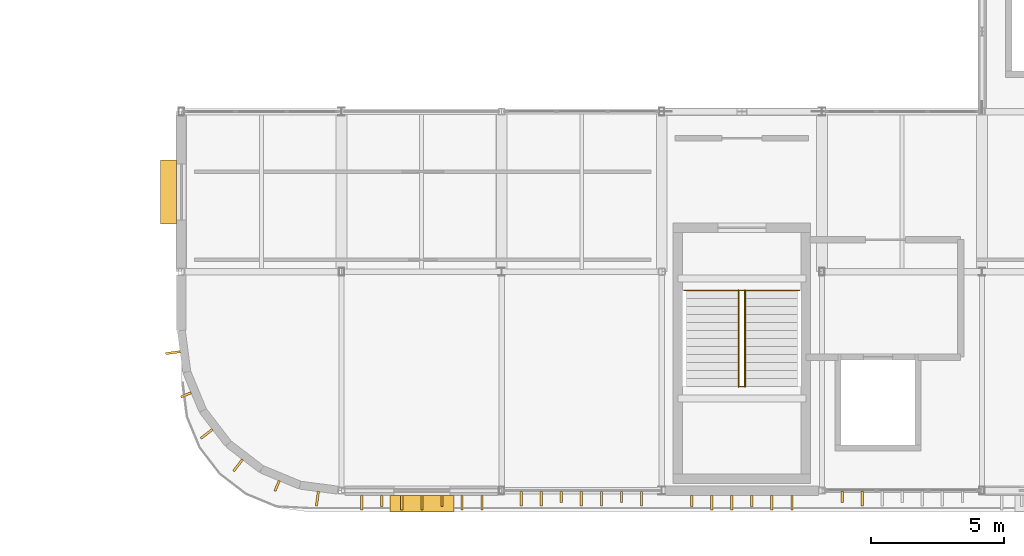
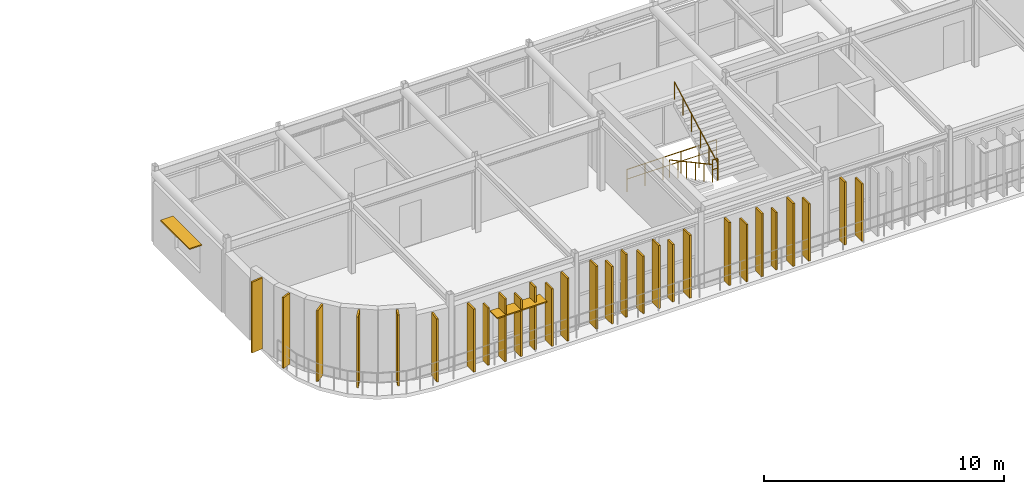
# One storey, part 23 of 27: 28 coverings, 4 railings, 2 shading devices.
"""IFC4 building model written with IfcOpenShell, lengths in metres."""

import ifcopenshell
import ifcopenshell.guid

model = None  # the IFC model being written
_history = None  # IfcOwnerHistory: only IFC2X3 demands one
_inside = {}  # id of a spatial element -> (the spatial element, [elements in it])
_under = {}  # id of a project, library or spatial element -> (it, [spatial elements below it])
_declared = {}  # id of a project -> (the project, [libraries it declares])
_typed = {}  # id of a type object -> (the type object, [elements of that type])
_made_of = {}  # id of a material, layer set ... -> (it, [elements and type objects made of it])


def new_model(schema):
    """Start an empty IFC model of exactly this schema.

    Asked for "IFC4X3", IfcOpenShell would pick the latest addendum, in which some entities
    have other attributes; the version numbers below select the first issue.
    IFC2X3 requires an IfcOwnerHistory on every rooted entity: one is made here for all.
    """
    global model, _history
    if schema == "IFC4X3":
        model = ifcopenshell.file(schema_version=(4, 3, 0, 0))
    else:
        model = ifcopenshell.file(schema=schema)
    _inside.clear()
    _under.clear()
    _declared.clear()
    _typed.clear()
    _made_of.clear()
    _history = None
    if model.schema == "IFC2X3":
        org = make("IfcOrganization", Name="unknown")
        user = make(
            "IfcPersonAndOrganization",
            ThePerson=make("IfcPerson", FamilyName="unknown"),
            TheOrganization=org,
        )
        app = make(
            "IfcApplication",
            ApplicationDeveloper=org,
            Version="unknown",
            ApplicationFullName="unknown",
            ApplicationIdentifier="unknown",
        )
        _history = make(
            "IfcOwnerHistory",
            OwningUser=user,
            OwningApplication=app,
            ChangeAction="ADDED",
            CreationDate=0,
        )
    return model


def make(cls, **values):
    """One entity of the class cls with the attributes given. An attribute that is None is left unset."""
    return model.create_entity(
        cls, **{name: value for name, value in values.items() if value is not None}
    )


def rooted(cls, **values):
    """An entity with a GlobalId (a new one), such as an element, a storey or a relation."""
    return make(cls, GlobalId=ifcopenshell.guid.new(), OwnerHistory=_history, **values)


def si_unit(unit_type, name, prefix=None):
    """IfcSIUnit, for example si_unit("LENGTHUNIT", "METRE", prefix="MILLI")."""
    return make("IfcSIUnit", UnitType=unit_type, Prefix=prefix, Name=name)


def assignment(units):
    """IfcUnitAssignment: the units of a project."""
    return None if units is None else make("IfcUnitAssignment", Units=units)


def point(xyz):
    """IfcCartesianPoint."""
    return None if xyz is None else make("IfcCartesianPoint", Coordinates=xyz)


def direction(xyz):
    """IfcDirection."""
    return None if xyz is None else make("IfcDirection", DirectionRatios=xyz)


def frame(location, z_axis=None, x_axis=None):
    """IfcAxis2Placement3D, a coordinate frame: its origin and axes. An axis left out is left unset."""
    return make(
        "IfcAxis2Placement3D",
        Location=point(location),
        Axis=direction(z_axis),
        RefDirection=direction(x_axis),
    )


def frame_2d(location, x_axis=None):
    """IfcAxis2Placement2D, a coordinate frame in the plane: its origin and x axis."""
    return make(
        "IfcAxis2Placement2D", Location=point(location), RefDirection=direction(x_axis)
    )


def origin():
    """The frame at (0, 0, 0) with its axes left unset."""
    return frame((0.0, 0.0, 0.0))


def origin_2d():
    """The frame at (0, 0) in the plane with its x axis left unset."""
    return frame_2d((0.0, 0.0))


def place(relative_to, where):
    """IfcLocalPlacement: puts the frame where relative to a parent placement (None: the world)."""
    return make(
        "IfcLocalPlacement", PlacementRelTo=relative_to, RelativePlacement=where
    )


def context(
    kind, dimensions, precision=None, world=None, true_north=None, identifier=None
):
    """IfcGeometricRepresentationContext, for example the 3D "Model" context."""
    return make(
        "IfcGeometricRepresentationContext",
        ContextIdentifier=identifier,
        ContextType=kind,
        CoordinateSpaceDimension=dimensions,
        Precision=precision,
        WorldCoordinateSystem=world,
        TrueNorth=true_north,
    )


def subcontext(parent, identifier, kind, view, scale=None):
    """IfcGeometricRepresentationSubContext, for example "Body" below "Model"."""
    return make(
        "IfcGeometricRepresentationSubContext",
        ContextIdentifier=identifier,
        ContextType=kind,
        ParentContext=parent,
        TargetScale=scale,
        TargetView=view,
    )


def project(units=None, contexts=None):
    """IfcProject with its units and contexts."""
    return rooted(
        "IfcProject",
        Name="project",
        RepresentationContexts=contexts,
        UnitsInContext=assignment(units),
    )


def spatial(cls, under=None, at=None, **own):
    """A site, building, storey or space (cls), placed at a placement, below another one or the project."""
    s = rooted(cls, ObjectPlacement=at, **own)
    if under is not None:
        _under.setdefault(under.id(), (under, []))[1].append(s)
    return s


def profile(cls, at=None, kind="AREA", **sizes):
    """A parametric profile (cls). Its sizes go by their IFC names, for example OverallWidth=200.0."""
    return make(cls, ProfileType=kind, Position=at, **sizes)


def rectangle(**sizes):
    """IfcRectangleProfileDef."""
    return profile("IfcRectangleProfileDef", **sizes)


def circle(**sizes):
    """IfcCircleProfileDef."""
    return profile("IfcCircleProfileDef", **sizes)


def extrude(swept, where, along, depth):
    """IfcExtrudedAreaSolid: the profile swept, set in the frame where, extruded along a direction by depth."""
    return make(
        "IfcExtrudedAreaSolid",
        SweptArea=swept,
        Position=where,
        ExtrudedDirection=direction(along),
        Depth=depth,
    )


def shape(context_of_items, identifier, shape_type, items):
    """IfcShapeRepresentation: the items that make up one representation, for example the "Body"."""
    return make(
        "IfcShapeRepresentation",
        ContextOfItems=context_of_items,
        RepresentationIdentifier=identifier,
        RepresentationType=shape_type,
        Items=items,
    )


def material(Name=None, Category=None):
    """IfcMaterial."""
    return make("IfcMaterial", Name=Name, Category=Category)


def layer(
    of_material, thickness, ventilated=None, Name=None, Category=None, Priority=None
):
    """IfcMaterialLayer: one layer of a wall or slab, of a material (None: an air gap)."""
    return make(
        "IfcMaterialLayer",
        Material=of_material,
        LayerThickness=thickness,
        IsVentilated=ventilated,
        Name=Name,
        Category=Category,
        Priority=Priority,
    )


def layer_set(layers, Name=None):
    """IfcMaterialLayerSet."""
    return make("IfcMaterialLayerSet", MaterialLayers=layers, LayerSetName=Name)


def made_of(thing, what):
    """Note that an element or type object is made of a material, layer set ...; save() writes the relation."""
    if what is not None:
        _made_of.setdefault(what.id(), (what, []))[1].append(thing)
    return thing


def type_object(cls, material=None, **own):
    """A type object (cls), such as IfcWallType, which elements share."""
    return made_of(rooted(cls, **own), material)


def element(
    cls,
    number,
    at=None,
    inside=None,
    cuts=None,
    type_object=None,
    material=None,
    context=None,
    identifier="Body",
    shape_type=None,
    held_by="IfcProductDefinitionShape",
    body=None,
    shapes=None,
    **own,
):
    """One element of the class cls, such as IfcWall. Its Tag is "e" and its number.

    at: its placement. inside: the storey or other place that contains it. cuts: it is an
    opening in that element (IfcRelVoidsElement). A single representation is given by context,
    identifier, shape_type and body (its items); several are given by shapes. held_by: the class
    of the entity that holds the representations. save() writes the other relations.
    """
    e = rooted(cls, Tag="e%d" % number, ObjectPlacement=at, **own)
    if body is not None:
        shapes = [shape(context, identifier, shape_type, body)]
    if shapes is not None:
        e.Representation = make(held_by, Representations=shapes)
    if inside is not None:
        _inside.setdefault(inside.id(), (inside, []))[1].append(e)
    if cuts is not None:
        rooted(
            "IfcRelVoidsElement", RelatingBuildingElement=cuts, RelatedOpeningElement=e
        )
    if type_object is not None:
        _typed.setdefault(type_object.id(), (type_object, []))[1].append(e)
    return made_of(e, material)


def aggregate(whole, parts):
    """IfcRelAggregates: a whole, such as a stair, and the parts it consists of."""
    return rooted("IfcRelAggregates", RelatingObject=whole, RelatedObjects=parts)


def save(model, path):
    """Write the relations noted so far, then the file.

    IfcRelAggregates (storeys below a building ...), IfcRelContainedInSpatialStructure (elements
    in a storey), IfcRelDefinesByType, IfcRelAssociatesMaterial and IfcRelDeclares: one each for
    every whole, place, type object, material and project.
    """
    for whole, parts in _under.values():
        aggregate(whole, parts)
    for where, things in _inside.values():
        rooted(
            "IfcRelContainedInSpatialStructure",
            RelatedElements=things,
            RelatingStructure=where,
        )
    for kind, things in _typed.values():
        rooted("IfcRelDefinesByType", RelatedObjects=things, RelatingType=kind)
    for what, things in _made_of.values():
        rooted("IfcRelAssociatesMaterial", RelatedObjects=things, RelatingMaterial=what)
    for by, libraries in _declared.values():
        rooted("IfcRelDeclares", RelatingContext=by, RelatedDefinitions=libraries)
    model.write(path)


model = new_model("IFC4")

# Units and contexts
model_context = context("Model", 3, precision=1e-05, world=origin(), true_north=direction((0.0, 1.0)))
body_context = subcontext(model_context, "Body", "Model", "MODEL_VIEW")
ifc_project = project(units=[si_unit("LENGTHUNIT", "METRE"), si_unit("AREAUNIT", "SQUARE_METRE"), si_unit("VOLUMEUNIT", "CUBIC_METRE"), si_unit("PLANEANGLEUNIT", "RADIAN"), si_unit("MASSUNIT", "GRAM", prefix="KILO")], contexts=[model_context])

# Site, building, storey
site_placement = place(None, origin())
site = spatial("IfcSite", under=ifc_project, at=site_placement, CompositionType="ELEMENT")
building_placement = place(site_placement, origin())
building = spatial("IfcBuilding", under=site, at=building_placement, Name="Varnakota Square Police Headquarters", CompositionType="ELEMENT")
storey_placement = place(building_placement, frame((0.0, 0.0, 26.10009765625)))
storey = spatial("IfcBuildingStorey", under=building, at=storey_placement, Name="L06", CompositionType="ELEMENT", Elevation=26.10009765625)

# Coverings
ifc_material_1 = material(Name="White Anodised Aluminium Vertical Facade Blade 420", Category="aluminium")
ifc_layer_1 = layer(ifc_material_1, 0.0849609375, Name="White Anodised Aluminium Vertical Facade Blade 420")
ifc_layer_set_1 = layer_set([ifc_layer_1], Name="White Anodised Aluminium Vertical Facade Blade 420")
covering_type_1 = type_object("IfcCoveringType", Name="COV-FIN-420", PredefinedType="CLADDING", material=ifc_layer_set_1)
covering_1_placement = place(storey_placement, frame((115.512451171875, 0.4150390625, 0.0400390625), z_axis=(0.0, 0.0, 1.0), x_axis=(1.0, 0.0, 0.0)))
element("IfcCovering", 1, at=covering_1_placement, inside=storey, type_object=covering_type_1, Name="Vertical aluminium facade fin FIN-0723", PredefinedType="CLADDING", context=body_context, shape_type="SweptSolid", body=[
    extrude(rectangle(XDim=0.0849609375, YDim=0.419921875, at=origin_2d()), origin(), (0.0, 0.0, 1.0), 2.919921875),
])
for number, where, z_axis, x_axis, name in (
    (2, (117.762451171875, 0.4150390625, 0.0400390625), (0.0, 0.0, 1.0), (1.0, 0.0, 0.0), "Vertical aluminium facade fin FIN-0726"),
    (3, (122.237548828125, 0.5625, 0.0400390625), (0.0, 0.0, 1.0), (1.0, 0.0, 0.0), "Vertical aluminium facade fin FIN-0731"),
):
    element("IfcCovering", number, at=place(storey_placement, frame(where, z_axis=z_axis, x_axis=x_axis)), inside=storey, type_object=covering_type_1, Name=name, PredefinedType="CLADDING", context=body_context, shape_type="SweptSolid", body=[
        extrude(rectangle(XDim=0.0849609375, YDim=0.419921875, at=origin_2d()), origin(), (0.0, 0.0, 1.0), 3.199951171875),
    ])
covering_2_placement = place(storey_placement, frame((124.487548828125, 0.5625, 0.0400390625), z_axis=(0.0, 0.0, 1.0), x_axis=(1.0, 0.0, 0.0)))
element("IfcCovering", 4, at=covering_2_placement, inside=storey, type_object=covering_type_1, Name="Vertical aluminium facade fin FIN-0734", PredefinedType="CLADDING", context=body_context, shape_type="SweptSolid", body=[
    extrude(rectangle(XDim=0.0849609375, YDim=0.419921875, at=origin_2d()), origin(), (0.0, 0.0, 1.0), 2.919921875),
])
covering_3_placement = place(storey_placement, frame((127.125, 0.4150390625, 0.0400390625), z_axis=(0.0, 0.0, 1.0), x_axis=(1.0, 0.0, 0.0)))
element("IfcCovering", 5, at=covering_3_placement, inside=storey, type_object=covering_type_1, Name="Vertical aluminium facade fin FIN-0736", PredefinedType="CLADDING", context=body_context, shape_type="SweptSolid", body=[
    extrude(rectangle(XDim=0.0849609375, YDim=0.419921875, at=origin_2d()), origin(), (0.0, 0.0, 1.0), 3.199951171875),
])
covering_4_placement = place(storey_placement, frame((129.375, 0.4150390625, 0.0400390625), z_axis=(0.0, 0.0, 1.0), x_axis=(1.0, 0.0, 0.0)))
element("IfcCovering", 6, at=covering_4_placement, inside=storey, type_object=covering_type_1, Name="Vertical aluminium facade fin FIN-0739", PredefinedType="CLADDING", context=body_context, shape_type="SweptSolid", body=[
    extrude(rectangle(XDim=0.0849609375, YDim=0.419921875, at=origin_2d()), origin(), (0.0, 0.0, 1.0), 2.919921875),
])
covering_5_placement = place(storey_placement, frame((132.762451171875, 0.5625, 0.0400390625), z_axis=(0.0, 0.0, 1.0), x_axis=(1.0, 0.0, 0.0)))
element("IfcCovering", 7, at=covering_5_placement, inside=storey, type_object=covering_type_1, Name="Vertical aluminium facade fin FIN-0742", PredefinedType="CLADDING", context=body_context, shape_type="SweptSolid", body=[
    extrude(rectangle(XDim=0.0849609375, YDim=0.419921875, at=origin_2d()), origin(), (0.0, 0.0, 1.0), 3.199951171875),
])
for number, where, z_axis, x_axis, name in (
    (8, (108.176025390625, 4.3876953125, 0.039794921875), (0.0, 0.0, 1.0), (0.382683432365, -0.923879532511, 0.0), "Vertical aluminium facade fin FIN-0802"),
    (9, (111.587646484375, 0.97607421875, 0.039794921875), (0.0, 0.0, 1.0), (0.923879532511, -0.382683432365, 0.0), "Vertical aluminium facade fin FIN-0805"),
):
    element("IfcCovering", number, at=place(storey_placement, frame(where, z_axis=z_axis, x_axis=x_axis)), inside=storey, type_object=covering_type_1, Name=name, PredefinedType="CLADDING", context=body_context, shape_type="SweptSolid", body=[
        extrude(rectangle(XDim=0.0849609375, YDim=0.419921875, at=origin_2d()), origin(), (0.0, 0.0, 1.0), 3.60498046875),
    ])
ifc_material_2 = material(Name="White Anodised Aluminium Vertical Facade Blade 550", Category="aluminium")
ifc_layer_2 = layer(ifc_material_2, 0.0849609375, Name="White Anodised Aluminium Vertical Facade Blade 550")
ifc_layer_set_2 = layer_set([ifc_layer_2], Name="White Anodised Aluminium Vertical Facade Blade 550")
covering_type_2 = type_object("IfcCoveringType", Name="COV-FIN-550", PredefinedType="CLADDING", material=ifc_layer_set_2)
for number, where, z_axis, x_axis, name in (
    (10, (114.762451171875, 0.35009765625, 0.0400390625), (0.0, 0.0, 1.0), (1.0, 0.0, 0.0), "Vertical aluminium facade fin FIN-0722"),
    (11, (116.262451171875, 0.35009765625, 0.0400390625), (0.0, 0.0, 1.0), (1.0, 0.0, 0.0), "Vertical aluminium facade fin FIN-0724"),
):
    element("IfcCovering", number, at=place(storey_placement, frame(where, z_axis=z_axis, x_axis=x_axis)), inside=storey, type_object=covering_type_2, Name=name, PredefinedType="CLADDING", context=body_context, shape_type="SweptSolid", body=[
        extrude(rectangle(XDim=0.0849609375, YDim=0.550048828125, at=origin_2d()), origin(), (0.0, 0.0, 1.0), 3.199951171875),
    ])
for number, where, z_axis, x_axis, name in (
    (12, (117.012451171875, 0.35009765625, 0.0400390625), (0.0, 0.0, 1.0), (1.0, 0.0, 0.0), "Vertical aluminium facade fin FIN-0725"),
    (13, (118.512451171875, 0.35009765625, 0.0400390625), (0.0, 0.0, 1.0), (1.0, 0.0, 0.0), "Vertical aluminium facade fin FIN-0727"),
):
    element("IfcCovering", number, at=place(storey_placement, frame(where, z_axis=z_axis, x_axis=x_axis)), inside=storey, type_object=covering_type_2, Name=name, PredefinedType="CLADDING", context=body_context, shape_type="SweptSolid", body=[
        extrude(rectangle(XDim=0.0849609375, YDim=0.550048828125, at=origin_2d()), origin(), (0.0, 0.0, 1.0), 2.919921875),
    ])
for number, where, z_axis, x_axis, name in (
    (14, (119.262451171875, 0.35009765625, 0.0400390625), (0.0, 0.0, 1.0), (1.0, 0.0, 0.0), "Vertical aluminium facade fin FIN-0728"),
    (15, (120.737548828125, 0.49755859375, 0.0400390625), (0.0, 0.0, 1.0), (1.0, 0.0, 0.0), "Vertical aluminium facade fin FIN-0729"),
):
    element("IfcCovering", number, at=place(storey_placement, frame(where, z_axis=z_axis, x_axis=x_axis)), inside=storey, type_object=covering_type_2, Name=name, PredefinedType="CLADDING", context=body_context, shape_type="SweptSolid", body=[
        extrude(rectangle(XDim=0.0849609375, YDim=0.550048828125, at=origin_2d()), origin(), (0.0, 0.0, 1.0), 3.199951171875),
    ])
for number, where, z_axis, x_axis, name in (
    (16, (121.487548828125, 0.49755859375, 0.0400390625), (0.0, 0.0, 1.0), (1.0, 0.0, 0.0), "Vertical aluminium facade fin FIN-0730"),
    (17, (122.987548828125, 0.49755859375, 0.0400390625), (0.0, 0.0, 1.0), (1.0, 0.0, 0.0), "Vertical aluminium facade fin FIN-0732"),
):
    element("IfcCovering", number, at=place(storey_placement, frame(where, z_axis=z_axis, x_axis=x_axis)), inside=storey, type_object=covering_type_2, Name=name, PredefinedType="CLADDING", context=body_context, shape_type="SweptSolid", body=[
        extrude(rectangle(XDim=0.0849609375, YDim=0.550048828125, at=origin_2d()), origin(), (0.0, 0.0, 1.0), 2.919921875),
    ])
for number, where, z_axis, x_axis, name in (
    (18, (123.737548828125, 0.49755859375, 0.0400390625), (0.0, 0.0, 1.0), (1.0, 0.0, 0.0), "Vertical aluminium facade fin FIN-0733"),
    (19, (125.237548828125, 0.49755859375, 0.0400390625), (0.0, 0.0, 1.0), (1.0, 0.0, 0.0), "Vertical aluminium facade fin FIN-0735"),
):
    element("IfcCovering", number, at=place(storey_placement, frame(where, z_axis=z_axis, x_axis=x_axis)), inside=storey, type_object=covering_type_2, Name=name, PredefinedType="CLADDING", context=body_context, shape_type="SweptSolid", body=[
        extrude(rectangle(XDim=0.0849609375, YDim=0.550048828125, at=origin_2d()), origin(), (0.0, 0.0, 1.0), 3.199951171875),
    ])
covering_6_placement = place(storey_placement, frame((127.875, 0.35009765625, 0.0400390625), z_axis=(0.0, 0.0, 1.0), x_axis=(1.0, 0.0, 0.0)))
element("IfcCovering", 20, at=covering_6_placement, inside=storey, type_object=covering_type_2, Name="Vertical aluminium facade fin FIN-0737", PredefinedType="CLADDING", context=body_context, shape_type="SweptSolid", body=[
    extrude(rectangle(XDim=0.0849609375, YDim=0.550048828125, at=origin_2d()), origin(), (0.0, 0.0, 1.0), 2.919921875),
])
for number, where, z_axis, x_axis, name in (
    (21, (128.625, 0.35009765625, 0.0400390625), (0.0, 0.0, 1.0), (1.0, 0.0, 0.0), "Vertical aluminium facade fin FIN-0738"),
    (22, (130.125, 0.35009765625, 0.0400390625), (0.0, 0.0, 1.0), (1.0, 0.0, 0.0), "Vertical aluminium facade fin FIN-0740"),
):
    element("IfcCovering", number, at=place(storey_placement, frame(where, z_axis=z_axis, x_axis=x_axis)), inside=storey, type_object=covering_type_2, Name=name, PredefinedType="CLADDING", context=body_context, shape_type="SweptSolid", body=[
        extrude(rectangle(XDim=0.0849609375, YDim=0.550048828125, at=origin_2d()), origin(), (0.0, 0.0, 1.0), 3.199951171875),
    ])
for number, where, z_axis, x_axis, name in (
    (23, (130.875, 0.35009765625, 0.0400390625), (0.0, 0.0, 1.0), (1.0, 0.0, 0.0), "Vertical aluminium facade fin FIN-0741"),
    (24, (133.512451171875, 0.49755859375, 0.0400390625), (0.0, 0.0, 1.0), (1.0, 0.0, 0.0), "Vertical aluminium facade fin FIN-0743"),
):
    element("IfcCovering", number, at=place(storey_placement, frame(where, z_axis=z_axis, x_axis=x_axis)), inside=storey, type_object=covering_type_2, Name=name, PredefinedType="CLADDING", context=body_context, shape_type="SweptSolid", body=[
        extrude(rectangle(XDim=0.0849609375, YDim=0.550048828125, at=origin_2d()), origin(), (0.0, 0.0, 1.0), 2.919921875),
    ])
for number, where, z_axis, x_axis, name in (
    (25, (107.685791015625, 5.96875, 0.039794921875), (0.0, 0.0, 1.0), (0.13052619222, -0.991444861374, 0.0), "Vertical aluminium facade fin FIN-0801"),
    (26, (108.947509765625, 2.923095703125, 0.039794921875), (0.0, 0.0, 1.0), (0.608761429009, -0.793353340291, 0.0), "Vertical aluminium facade fin FIN-0803"),
    (27, (110.123046875, 1.747314453125, 0.039794921875), (0.0, 0.0, 1.0), (0.793353340291, -0.608761429009, 0.0), "Vertical aluminium facade fin FIN-0804"),
):
    element("IfcCovering", number, at=place(storey_placement, frame(where, z_axis=z_axis, x_axis=x_axis)), inside=storey, type_object=covering_type_2, Name=name, PredefinedType="CLADDING", context=body_context, shape_type="SweptSolid", body=[
        extrude(rectangle(XDim=0.0849609375, YDim=0.550048828125, at=origin_2d()), origin(), (0.0, 0.0, 1.0), 3.60498046875),
    ])
covering_7_placement = place(storey_placement, frame((113.09716796875, 0.4951171875, 0.0400390625), z_axis=(0.0, 0.0, 1.0), x_axis=(0.991444861374, -0.13052619222, 0.0)))
element("IfcCovering", 28, at=covering_7_placement, inside=storey, type_object=covering_type_2, Name="Vertical aluminium facade fin FIN-0806", PredefinedType="CLADDING", context=body_context, shape_type="SweptSolid", body=[
    extrude(rectangle(XDim=0.0849609375, YDim=0.550048828125, at=origin_2d()), origin(), (0.0, 0.0, 1.0), 3.199951171875),
])

# Railings
ifc_material_3 = material(Name="Brushed Stainless Steel Tubular Handrail", Category="steel")
railing_type_1 = type_object("IfcRailingType", Name="RL-HND-920", PredefinedType="HANDRAIL", material=ifc_material_3)
railing_1_placement = place(storey_placement, frame((128.8798828125, 8.300048828125, 0.0)))
element("IfcRailing", 29, at=railing_1_placement, inside=storey, type_object=railing_type_1, Name="Stair flight handrail HR-L06-013", PredefinedType="HANDRAIL", context=body_context, shape_type="SweptSolid", body=[
    extrude(circle(Radius=0.02392578125, at=origin_2d()), frame((0.0, 0.0, 0.89599609375), z_axis=(0.0, -0.879329418667, 0.476213999654), x_axis=(1.0, 0.0, 0.0)), (0.0, 0.0, 1.0), 4.0947265625),
    extrude(circle(Radius=0.02099609375, at=origin_2d()), origin(), (0.0, 0.0, 1.0), 0.871826171875),
    extrude(circle(Radius=0.02099609375, at=origin_2d()), frame((0.0, -0.72021484375, 0.389892578125)), (0.0, 0.0, 1.0), 0.871826171875),
    extrude(circle(Radius=0.02099609375, at=origin_2d()), frame((0.0, -1.440185546875, 0.780029296875)), (0.0, 0.0, 1.0), 0.871826171875),
    extrude(circle(Radius=0.02099609375, at=origin_2d()), frame((0.0, -2.160400390625, 1.169921875)), (0.0, 0.0, 1.0), 0.871826171875),
    extrude(circle(Radius=0.02099609375, at=origin_2d()), frame((0.0, -2.88037109375, 1.56005859375)), (0.0, 0.0, 1.0), 0.871826171875),
    extrude(circle(Radius=0.02099609375, at=origin_2d()), frame((0.0, -3.6005859375, 1.949951171875)), (0.0, 0.0, 1.0), 0.871826171875),
])
railing_2_placement = place(storey_placement, frame((129.1201171875, 4.699462890625, 1.949951171875)))
element("IfcRailing", 30, at=railing_2_placement, inside=storey, type_object=railing_type_1, Name="Stair flight handrail HR-L06-014", PredefinedType="HANDRAIL", context=body_context, shape_type="SweptSolid", body=[
    extrude(circle(Radius=0.02392578125, at=origin_2d()), frame((0.0, 0.0, 0.89599609375), z_axis=(0.0, 0.879329418667, 0.476213999654), x_axis=(-1.0, 0.0, 0.0)), (0.0, 0.0, 1.0), 4.0947265625),
    extrude(circle(Radius=0.02099609375, at=origin_2d()), origin(), (0.0, 0.0, 1.0), 0.871826171875),
    extrude(circle(Radius=0.02099609375, at=origin_2d()), frame((0.0, 0.72021484375, 0.389892578125)), (0.0, 0.0, 1.0), 0.871826171875),
    extrude(circle(Radius=0.02099609375, at=origin_2d()), frame((0.0, 1.440185546875, 0.780029296875)), (0.0, 0.0, 1.0), 0.871826171875),
    extrude(circle(Radius=0.02099609375, at=origin_2d()), frame((0.0, 2.160400390625, 1.169921875)), (0.0, 0.0, 1.0), 0.871826171875),
    extrude(circle(Radius=0.02099609375, at=origin_2d()), frame((0.0, 2.88037109375, 1.56005859375)), (0.0, 0.0, 1.0), 0.871826171875),
    extrude(circle(Radius=0.02099609375, at=origin_2d()), frame((0.0, 3.6005859375, 1.949951171875)), (0.0, 0.0, 1.0), 0.871826171875),
])
ifc_material_4 = material(Name="Laminated Glass and Stainless Steel Balustrade", Category="steel")
railing_type_2 = type_object("IfcRailingType", Name="RL-INT-1150", PredefinedType="BALUSTRADE", material=ifc_material_4)
railing_3_placement = place(storey_placement, frame((126.840087890625, 8.300048828125, 0.0)))
element("IfcRailing", 31, at=railing_3_placement, inside=storey, type_object=railing_type_2, Name="Stair well safety guard C1 L06", PredefinedType="BALUSTRADE", context=body_context, shape_type="SweptSolid", body=[
    extrude(circle(Radius=0.02392578125, at=origin_2d()), frame((0.0, 0.0, 1.1259765625), z_axis=(1.0, 0.0, 0.0), x_axis=(0.0, 1.0, 0.0)), (0.0, 0.0, 1.0), 4.31982421875),
    extrude(circle(Radius=0.01806640625, at=origin_2d()), frame((0.0, 0.0, 0.63232421875), z_axis=(1.0, 0.0, 0.0), x_axis=(0.0, 1.0, 0.0)), (0.0, 0.0, 1.0), 4.31982421875),
    extrude(circle(Radius=0.02099609375, at=origin_2d()), origin(), (0.0, 0.0, 1.0), 1.101806640625),
    extrude(circle(Radius=0.02099609375, at=origin_2d()), frame((0.864013671875, 0.0, 0.0)), (0.0, 0.0, 1.0), 1.101806640625),
    extrude(circle(Radius=0.02099609375, at=origin_2d()), frame((1.72802734375, 0.0, 0.0)), (0.0, 0.0, 1.0), 1.101806640625),
    extrude(circle(Radius=0.02099609375, at=origin_2d()), frame((2.591796875, 0.0, 0.0)), (0.0, 0.0, 1.0), 1.101806640625),
    extrude(circle(Radius=0.02099609375, at=origin_2d()), frame((3.455810546875, 0.0, 0.0)), (0.0, 0.0, 1.0), 1.101806640625),
    extrude(circle(Radius=0.02099609375, at=origin_2d()), frame((4.31982421875, 0.0, 0.0)), (0.0, 0.0, 1.0), 1.101806640625),
])
railing_4_placement = place(storey_placement, frame((128.869873046875, 4.699462890625, 1.949951171875)))
element("IfcRailing", 32, at=railing_4_placement, inside=storey, type_object=railing_type_2, Name="Half-landing well guard C1 L06", PredefinedType="BALUSTRADE", context=body_context, shape_type="SweptSolid", body=[
    extrude(circle(Radius=0.02392578125, at=origin_2d()), frame((0.0, 0.0, 1.1259765625), z_axis=(1.0, 0.0, 0.0), x_axis=(0.0, 1.0, 0.0)), (0.0, 0.0, 1.0), 0.26025390625),
    extrude(circle(Radius=0.01806640625, at=origin_2d()), frame((0.0, 0.0, 0.63232421875), z_axis=(1.0, 0.0, 0.0), x_axis=(0.0, 1.0, 0.0)), (0.0, 0.0, 1.0), 0.26025390625),
    extrude(circle(Radius=0.02099609375, at=origin_2d()), origin(), (0.0, 0.0, 1.0), 1.101806640625),
    extrude(circle(Radius=0.02099609375, at=origin_2d()), frame((0.26025390625, 0.0, 0.0)), (0.0, 0.0, 1.0), 1.101806640625),
])

# Shading devices
ifc_material_5 = material(Name="Anodised Aluminium Horizontal Brise-Soleil", Category="aluminium")
ifc_layer_3 = layer(ifc_material_5, 0.06005859375, Name="Anodised Aluminium Horizontal Brise-Soleil")
ifc_layer_set_3 = layer_set([ifc_layer_3], Name="Anodised Aluminium Horizontal Brise-Soleil")
shading_device_type = type_object("IfcShadingDeviceType", Name="SHD-JAL-600", PredefinedType="JALOUSIE", material=ifc_layer_set_3)
for number, where, z_axis, x_axis, name in (
    (33, (117.012451171875, 0.322021484375, 2.39990234375), (0.0, 0.0, 1.0), (1.0, 0.0, 0.0), "Horizontal sunshade SHD-035"),
    (34, (107.52197265625, 11.987548828125, 2.39990234375), (0.0, 0.0, 1.0), (0.0, 1.0, 0.0), "Horizontal sunshade SHD-038"),
):
    element("IfcShadingDevice", number, at=place(storey_placement, frame(where, z_axis=z_axis, x_axis=x_axis)), inside=storey, type_object=shading_device_type, Name=name, PredefinedType="JALOUSIE", context=body_context, shape_type="SweptSolid", body=[
        extrude(rectangle(XDim=2.39990234375, YDim=0.60009765625, at=origin_2d()), origin(), (0.0, 0.0, 1.0), 0.06005859375),
    ])

save(model, "model.ifc")
